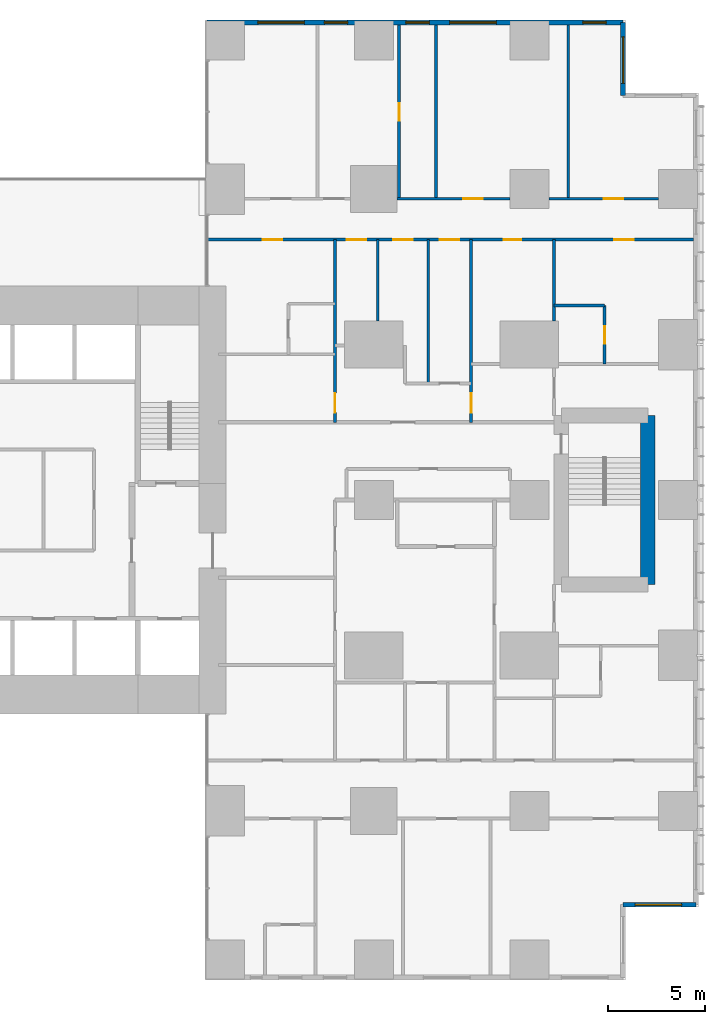
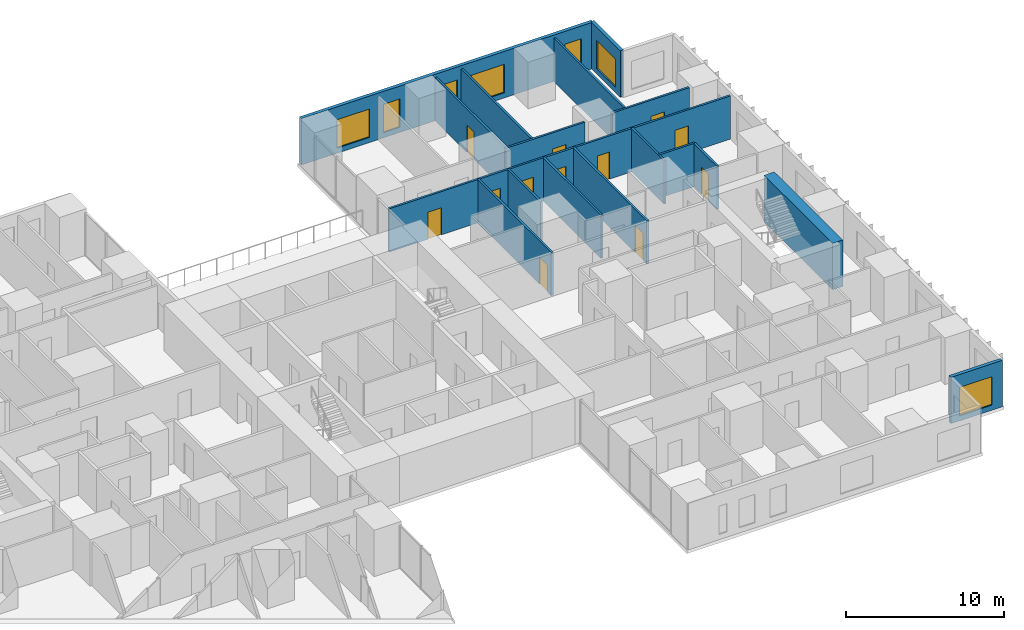
# One storey, part 18 of 20: 17 walls, 12 doors, 7 windows, 19 openings.
"""IFC4 building model written with IfcOpenShell, lengths in metres."""

from ifc_helpers import new_model, si_unit, direction, frame, frame_2d, origin, place, context, subcontext, project, spatial, rectangle, extrude, material, layer, layer_set, type_object, element, fill, save


model = new_model("IFC4")

# Units and contexts
model_context = context("Model", 3, precision=1e-05, world=origin(), true_north=direction((0.0, 1.0)))
body_context = subcontext(model_context, "Body", "Model", "MODEL_VIEW")
ifc_project = project(units=[si_unit("LENGTHUNIT", "METRE"), si_unit("AREAUNIT", "SQUARE_METRE"), si_unit("VOLUMEUNIT", "CUBIC_METRE"), si_unit("PLANEANGLEUNIT", "RADIAN"), si_unit("MASSUNIT", "GRAM", prefix="KILO")], contexts=[model_context])

# Site, building, storey
site_placement = place(None, origin())
site = spatial("IfcSite", under=ifc_project, at=site_placement, CompositionType="ELEMENT")
building_placement = place(site_placement, origin())
building = spatial("IfcBuilding", under=site, at=building_placement, Name="Cleftline Residences", CompositionType="ELEMENT")
storey_placement = place(building_placement, frame((0.0, 0.0, 96.199951171875)))
storey = spatial("IfcBuildingStorey", under=building, at=storey_placement, Name="L24", CompositionType="ELEMENT", Elevation=96.199951171875)

# Wall, opening, window
ifc_material_1 = material(Name="Rendered reinforced concrete blockwork", Category="masonry")
ifc_layer_1 = layer(ifc_material_1, 0.25)
ifc_layer_set_1 = layer_set([ifc_layer_1], Name="EXTERNAL WALL 250")
wall_type_1 = type_object("IfcWallType", Name="EXTERNAL WALL 250", PredefinedType="SOLIDWALL", material=ifc_layer_set_1)
wall_1_placement = place(storey_placement, frame((62.824951171875, 3.175048828125, 0.0), z_axis=(0.0, 0.0, 1.0), x_axis=(1.0, 0.0, 0.0)))
wall_1 = element("IfcWall", 1, at=wall_1_placement, inside=storey, type_object=wall_type_1, Name="External wall", PredefinedType="SOLIDWALL", context=body_context, shape_type="SweptSolid", body=[
    extrude(rectangle(XDim=3.75, YDim=0.25, at=frame_2d((1.875, 0.0))), origin(), (0.0, 0.0, 1.0), 3.60009765625),
])
opening_1_placement = place(wall_1_placement, frame((0.612548828125, 0.0, 0.39990234375)))
opening_1 = element("IfcOpeningElement", 2, at=opening_1_placement, cuts=wall_1, Name="Opening W12", PredefinedType="OPENING", context=body_context, shape_type="SweptSolid", body=[
    extrude(rectangle(XDim=2.39990234375, YDim=2.199951171875, at=frame_2d((1.199951171875, 1.10009765625))), frame((0.0, 0.135009765625, 0.0), z_axis=(0.0, -1.0, 0.0), x_axis=(1.0, 0.0, 0.0)), (0.0, 0.0, 1.0), 0.27001953125),
])
ifc_material_2 = material(Name="Aluminium frame, clear double glazing", Category="aluminium")
window_type_1 = type_object("IfcWindowType", Name="WINDOW 2400X2200", PartitioningType="DOUBLE_PANEL_VERTICAL", PredefinedType="WINDOW", material=ifc_material_2)
window_1_placement = place(opening_1_placement, origin())
window_1 = element("IfcWindow", 3, at=window_1_placement, inside=storey, type_object=window_type_1, Name="Window", OverallHeight=2.199951171875, OverallWidth=2.39990234375, PartitioningType="SINGLE_PANEL", PredefinedType="WINDOW", context=body_context, shape_type="SweptSolid", body=[
    extrude(rectangle(XDim=2.39990234375, YDim=2.199951171875, at=frame_2d((1.199951171875, 1.10009765625))), frame((0.0, 0.030029296875, 0.0), z_axis=(0.0, -1.0, 0.0), x_axis=(1.0, 0.0, 0.0)), (0.0, 0.0, 1.0), 0.06005859375),
])
fill(opening_1, window_1)

wall_2_placement = place(storey_placement, frame((62.824951171875, 44.824951171875, 0.0), z_axis=(0.0, 0.0, 1.0), x_axis=(0.0, 1.0, 0.0)))
wall_2 = element("IfcWall", 4, at=wall_2_placement, inside=storey, type_object=wall_type_1, Name="External wall", PredefinedType="SOLIDWALL", context=body_context, shape_type="SweptSolid", body=[
    extrude(rectangle(XDim=3.75, YDim=0.25, at=frame_2d((1.875, 0.0))), origin(), (0.0, 0.0, 1.0), 3.60009765625),
])
opening_2_placement = place(wall_2_placement, frame((0.612548828125, 0.0, 0.39990234375)))
opening_2 = element("IfcOpeningElement", 5, at=opening_2_placement, cuts=wall_2, Name="Opening W12", PredefinedType="OPENING", context=body_context, shape_type="SweptSolid", body=[
    extrude(rectangle(XDim=2.39990234375, YDim=2.199951171875, at=frame_2d((1.199951171875, 1.10009765625))), frame((0.0, 0.135009765625, 0.0), z_axis=(0.0, -1.0, 0.0), x_axis=(1.0, 0.0, 0.0)), (0.0, 0.0, 1.0), 0.27001953125),
])
window_2_placement = place(opening_2_placement, origin())
window_2 = element("IfcWindow", 6, at=window_2_placement, inside=storey, type_object=window_type_1, Name="Window", OverallHeight=2.199951171875, OverallWidth=2.39990234375, PartitioningType="SINGLE_PANEL", PredefinedType="WINDOW", context=body_context, shape_type="SweptSolid", body=[
    extrude(rectangle(XDim=2.39990234375, YDim=2.199951171875, at=frame_2d((1.199951171875, 1.10009765625))), frame((0.0, 0.030029296875, 0.0), z_axis=(0.0, -1.0, 0.0), x_axis=(1.0, 0.0, 0.0)), (0.0, 0.0, 1.0), 0.06005859375),
])
fill(opening_2, window_2)

# Wall, openings, windows
wall_3_placement = place(storey_placement, frame((62.824951171875, 48.574951171875, 0.0), z_axis=(0.0, 0.0, 1.0), x_axis=(-1.0, 0.0, 0.0)))
wall_3 = element("IfcWall", 7, at=wall_3_placement, inside=storey, type_object=wall_type_1, Name="External wall", PredefinedType="SOLIDWALL", context=body_context, shape_type="SweptSolid", body=[
    extrude(rectangle(XDim=21.39990234375, YDim=0.25, at=frame_2d((10.699951171875, 0.0))), origin(), (0.0, 0.0, 1.0), 3.60009765625),
])
opening_3_placement = place(wall_3_placement, frame((0.875, 0.0, 0.39990234375)))
opening_3 = element("IfcOpeningElement", 8, at=opening_3_placement, cuts=wall_3, Name="Opening W11", PredefinedType="OPENING", context=body_context, shape_type="SweptSolid", body=[
    extrude(rectangle(XDim=1.199951171875, YDim=2.199951171875, at=frame_2d((0.60009765625, 1.10009765625))), frame((0.0, 0.135009765625, 0.0), z_axis=(0.0, -1.0, 0.0), x_axis=(1.0, 0.0, 0.0)), (0.0, 0.0, 1.0), 0.27001953125),
])
opening_4_placement = place(wall_3_placement, frame((6.52490234375, 0.0, 0.39990234375)))
opening_4 = element("IfcOpeningElement", 9, at=opening_4_placement, cuts=wall_3, Name="Opening W12", PredefinedType="OPENING", context=body_context, shape_type="SweptSolid", body=[
    extrude(rectangle(XDim=2.39990234375, YDim=2.199951171875, at=frame_2d((1.199951171875, 1.10009765625))), frame((0.0, 0.135009765625, 0.0), z_axis=(0.0, -1.0, 0.0), x_axis=(1.0, 0.0, 0.0)), (0.0, 0.0, 1.0), 0.27001953125),
])
opening_5_placement = place(wall_3_placement, frame((9.97509765625, 0.0, 0.39990234375)))
opening_5 = element("IfcOpeningElement", 10, at=opening_5_placement, cuts=wall_3, Name="Opening W11", PredefinedType="OPENING", context=body_context, shape_type="SweptSolid", body=[
    extrude(rectangle(XDim=1.199951171875, YDim=2.199951171875, at=frame_2d((0.60009765625, 1.10009765625))), frame((0.0, 0.135009765625, 0.0), z_axis=(0.0, -1.0, 0.0), x_axis=(1.0, 0.0, 0.0)), (0.0, 0.0, 1.0), 0.27001953125),
])
opening_6_placement = place(wall_3_placement, frame((14.175048828125, 0.0, 0.39990234375)))
opening_6 = element("IfcOpeningElement", 11, at=opening_6_placement, cuts=wall_3, Name="Opening W11", PredefinedType="OPENING", context=body_context, shape_type="SweptSolid", body=[
    extrude(rectangle(XDim=1.199951171875, YDim=2.199951171875, at=frame_2d((0.60009765625, 1.10009765625))), frame((0.0, 0.135009765625, 0.0), z_axis=(0.0, -1.0, 0.0), x_axis=(1.0, 0.0, 0.0)), (0.0, 0.0, 1.0), 0.27001953125),
])
opening_7_placement = place(wall_3_placement, frame((16.39990234375, 0.0, 0.39990234375)))
opening_7 = element("IfcOpeningElement", 12, at=opening_7_placement, cuts=wall_3, Name="Opening W12", PredefinedType="OPENING", context=body_context, shape_type="SweptSolid", body=[
    extrude(rectangle(XDim=2.39990234375, YDim=2.199951171875, at=frame_2d((1.199951171875, 1.10009765625))), frame((0.0, 0.135009765625, 0.0), z_axis=(0.0, -1.0, 0.0), x_axis=(1.0, 0.0, 0.0)), (0.0, 0.0, 1.0), 0.27001953125),
])
ifc_material_3 = material(Name="Aluminium frame, clear double glazing", Category="aluminium")
window_type_2 = type_object("IfcWindowType", Name="WINDOW 1200X2200", PartitioningType="DOUBLE_PANEL_VERTICAL", PredefinedType="WINDOW", material=ifc_material_3)
window_3_placement = place(opening_3_placement, origin())
window_3 = element("IfcWindow", 13, at=window_3_placement, inside=storey, type_object=window_type_2, Name="Window", OverallHeight=2.199951171875, OverallWidth=1.199951171875, PartitioningType="SINGLE_PANEL", PredefinedType="WINDOW", context=body_context, shape_type="SweptSolid", body=[
    extrude(rectangle(XDim=1.199951171875, YDim=2.199951171875, at=frame_2d((0.60009765625, 1.10009765625))), frame((0.0, 0.030029296875, 0.0), z_axis=(0.0, -1.0, 0.0), x_axis=(1.0, 0.0, 0.0)), (0.0, 0.0, 1.0), 0.06005859375),
])
fill(opening_3, window_3)
window_4_placement = place(opening_5_placement, origin())
window_4 = element("IfcWindow", 14, at=window_4_placement, inside=storey, type_object=window_type_2, Name="Window", OverallHeight=2.199951171875, OverallWidth=1.199951171875, PartitioningType="SINGLE_PANEL", PredefinedType="WINDOW", context=body_context, shape_type="SweptSolid", body=[
    extrude(rectangle(XDim=1.199951171875, YDim=2.199951171875, at=frame_2d((0.60009765625, 1.10009765625))), frame((0.0, 0.030029296875, 0.0), z_axis=(0.0, -1.0, 0.0), x_axis=(1.0, 0.0, 0.0)), (0.0, 0.0, 1.0), 0.06005859375),
])
fill(opening_5, window_4)
window_5_placement = place(opening_6_placement, origin())
window_5 = element("IfcWindow", 15, at=window_5_placement, inside=storey, type_object=window_type_2, Name="Window", OverallHeight=2.199951171875, OverallWidth=1.199951171875, PartitioningType="SINGLE_PANEL", PredefinedType="WINDOW", context=body_context, shape_type="SweptSolid", body=[
    extrude(rectangle(XDim=1.199951171875, YDim=2.199951171875, at=frame_2d((0.60009765625, 1.10009765625))), frame((0.0, 0.030029296875, 0.0), z_axis=(0.0, -1.0, 0.0), x_axis=(1.0, 0.0, 0.0)), (0.0, 0.0, 1.0), 0.06005859375),
])
fill(opening_6, window_5)
window_6_placement = place(opening_4_placement, origin())
window_6 = element("IfcWindow", 16, at=window_6_placement, inside=storey, type_object=window_type_1, Name="Window", OverallHeight=2.199951171875, OverallWidth=2.39990234375, PartitioningType="SINGLE_PANEL", PredefinedType="WINDOW", context=body_context, shape_type="SweptSolid", body=[
    extrude(rectangle(XDim=2.39990234375, YDim=2.199951171875, at=frame_2d((1.199951171875, 1.10009765625))), frame((0.0, 0.030029296875, 0.0), z_axis=(0.0, -1.0, 0.0), x_axis=(1.0, 0.0, 0.0)), (0.0, 0.0, 1.0), 0.06005859375),
])
fill(opening_4, window_6)
window_7_placement = place(opening_7_placement, origin())
window_7 = element("IfcWindow", 17, at=window_7_placement, inside=storey, type_object=window_type_1, Name="Window", OverallHeight=2.199951171875, OverallWidth=2.39990234375, PartitioningType="SINGLE_PANEL", PredefinedType="WINDOW", context=body_context, shape_type="SweptSolid", body=[
    extrude(rectangle(XDim=2.39990234375, YDim=2.199951171875, at=frame_2d((1.199951171875, 1.10009765625))), frame((0.0, 0.030029296875, 0.0), z_axis=(0.0, -1.0, 0.0), x_axis=(1.0, 0.0, 0.0)), (0.0, 0.0, 1.0), 0.06005859375),
])
fill(opening_7, window_7)

# Wall
ifc_material_4 = material(Name="Gypsum board on steel studs", Category="steel")
ifc_layer_2 = layer(ifc_material_4, 0.14990234375)
ifc_layer_set_2 = layer_set([ifc_layer_2], Name="PARTITION 150")
wall_type_2 = type_object("IfcWallType", Name="PARTITION 150", PredefinedType="PARTITIONING", material=ifc_layer_set_2)
wall_4_placement = place(storey_placement, frame((59.27490234375, 34.0, 0.0), z_axis=(0.0, 0.0, 1.0), x_axis=(1.0, 0.0, 0.0)))
element("IfcWall", 18, at=wall_4_placement, inside=storey, type_object=wall_type_2, Name="Partition", PredefinedType="PARTITIONING", context=body_context, shape_type="SweptSolid", body=[
    extrude(rectangle(XDim=2.60009765625, YDim=0.14990234375, at=frame_2d((1.300048828125, 0.0))), origin(), (0.0, 0.0, 1.0), 3.35009765625),
])

# Wall, openings, doors
wall_5_placement = place(storey_placement, frame((41.43896484375, 37.39990234375, 0.0), z_axis=(0.0, 0.0, 1.0), x_axis=(1.0, 0.0, 0.0)))
wall_5 = element("IfcWall", 19, at=wall_5_placement, inside=storey, type_object=wall_type_2, Name="Partition", PredefinedType="PARTITIONING", context=body_context, shape_type="SweptSolid", body=[
    extrude(rectangle(XDim=25.010986328125, YDim=0.14990234375, at=frame_2d((12.50537109375, 0.0))), origin(), (0.0, 0.0, 1.0), 3.35009765625),
])
opening_8_placement = place(wall_5_placement, frame((11.9609375, 0.0, 0.0)))
opening_8 = element("IfcOpeningElement", 20, at=opening_8_placement, cuts=wall_5, Name="Opening D2F30", PredefinedType="OPENING", context=body_context, shape_type="SweptSolid", body=[
    extrude(rectangle(XDim=1.0, YDim=2.10009765625, at=frame_2d((0.5, 1.050048828125))), frame((0.0, 0.0849609375, 0.0), z_axis=(0.0, -1.0, 0.0), x_axis=(1.0, 0.0, 0.0)), (0.0, 0.0, 1.0), 0.169921875),
])
opening_9_placement = place(wall_5_placement, frame((20.923583984375, 0.0, 0.0)))
opening_9 = element("IfcOpeningElement", 21, at=opening_9_placement, cuts=wall_5, Name="Opening D2F30", PredefinedType="OPENING", context=body_context, shape_type="SweptSolid", body=[
    extrude(rectangle(XDim=1.0, YDim=2.10009765625, at=frame_2d((0.5, 1.050048828125))), frame((0.0, 0.0849609375, 0.0), z_axis=(0.0, -1.0, 0.0), x_axis=(1.0, 0.0, 0.0)), (0.0, 0.0, 1.0), 0.169921875),
])
opening_10_placement = place(wall_5_placement, frame((15.24853515625, 0.0, 0.0)))
opening_10 = element("IfcOpeningElement", 22, at=opening_10_placement, cuts=wall_5, Name="Opening D1F30", PredefinedType="OPENING", context=body_context, shape_type="SweptSolid", body=[
    extrude(rectangle(XDim=0.89990234375, YDim=2.10009765625, at=frame_2d((0.449951171875, 1.050048828125))), frame((0.0, 0.0849609375, 0.0), z_axis=(0.0, -1.0, 0.0), x_axis=(1.0, 0.0, 0.0)), (0.0, 0.0, 1.0), 0.169921875),
])
opening_11_placement = place(wall_5_placement, frame((9.56103515625, 0.0, 0.0)))
opening_11 = element("IfcOpeningElement", 23, at=opening_11_placement, cuts=wall_5, Name="Opening D2F30", PredefinedType="OPENING", context=body_context, shape_type="SweptSolid", body=[
    extrude(rectangle(XDim=1.0, YDim=2.10009765625, at=frame_2d((0.5, 1.050048828125))), frame((0.0, 0.0849609375, 0.0), z_axis=(0.0, -1.0, 0.0), x_axis=(1.0, 0.0, 0.0)), (0.0, 0.0, 1.0), 0.169921875),
])
opening_12_placement = place(wall_5_placement, frame((7.160888671875, 0.0, 0.0)))
opening_12 = element("IfcOpeningElement", 24, at=opening_12_placement, cuts=wall_5, Name="Opening D2F30", PredefinedType="OPENING", context=body_context, shape_type="SweptSolid", body=[
    extrude(rectangle(XDim=1.0, YDim=2.10009765625, at=frame_2d((0.5, 1.050048828125))), frame((0.0, 0.0849609375, 0.0), z_axis=(0.0, -1.0, 0.0), x_axis=(1.0, 0.0, 0.0)), (0.0, 0.0, 1.0), 0.169921875),
])
opening_13_placement = place(wall_5_placement, frame((2.8359375, 0.0, 0.0)))
opening_13 = element("IfcOpeningElement", 25, at=opening_13_placement, cuts=wall_5, Name="Opening D2F30", PredefinedType="OPENING", context=body_context, shape_type="SweptSolid", body=[
    extrude(rectangle(XDim=1.0, YDim=2.10009765625, at=frame_2d((0.5, 1.050048828125))), frame((0.0, 0.0849609375, 0.0), z_axis=(0.0, -1.0, 0.0), x_axis=(1.0, 0.0, 0.0)), (0.0, 0.0, 1.0), 0.169921875),
])
ifc_material_5 = material(Name="Timber veneer on solid core", Category="wood")
door_type_1 = type_object("IfcDoorType", Name="DOOR 1000X2100 EI 30", OperationType="SINGLE_SWING_LEFT", PredefinedType="DOOR", material=ifc_material_5)
door_1_placement = place(opening_8_placement, origin())
door_1 = element("IfcDoor", 26, at=door_1_placement, inside=storey, type_object=door_type_1, Name="Door to residence hall (gallery)", OperationType="SINGLE_SWING_RIGHT", OverallHeight=2.10009765625, OverallWidth=1.0, PredefinedType="DOOR", context=body_context, shape_type="SweptSolid", body=[
    extrude(rectangle(XDim=1.0, YDim=2.10009765625, at=frame_2d((0.5, 1.050048828125))), frame((0.0, 0.02490234375, 0.0), z_axis=(0.0, -1.0, 0.0), x_axis=(1.0, 0.0, 0.0)), (0.0, 0.0, 1.0), 0.050048828125),
])
fill(opening_8, door_1)
door_2_placement = place(opening_9_placement, origin())
door_2 = element("IfcDoor", 27, at=door_2_placement, inside=storey, type_object=door_type_1, Name="Door to master bedroom", OperationType="SINGLE_SWING_LEFT", OverallHeight=2.10009765625, OverallWidth=1.0, PredefinedType="DOOR", context=body_context, shape_type="SweptSolid", body=[
    extrude(rectangle(XDim=1.0, YDim=2.10009765625, at=frame_2d((0.5, 1.050048828125))), frame((0.0, 0.02490234375, 0.0), z_axis=(0.0, -1.0, 0.0), x_axis=(1.0, 0.0, 0.0)), (0.0, 0.0, 1.0), 0.050048828125),
])
fill(opening_9, door_2)
door_3_placement = place(opening_11_placement, origin())
door_3 = element("IfcDoor", 28, at=door_3_placement, inside=storey, type_object=door_type_1, Name="Door to dining room", OperationType="SINGLE_SWING_RIGHT", OverallHeight=2.10009765625, OverallWidth=1.0, PredefinedType="DOOR", context=body_context, shape_type="SweptSolid", body=[
    extrude(rectangle(XDim=1.0, YDim=2.10009765625, at=frame_2d((0.5, 1.050048828125))), frame((0.0, 0.02490234375, 0.0), z_axis=(0.0, -1.0, 0.0), x_axis=(1.0, 0.0, 0.0)), (0.0, 0.0, 1.0), 0.050048828125),
])
fill(opening_11, door_3)
door_4_placement = place(opening_12_placement, origin())
door_4 = element("IfcDoor", 29, at=door_4_placement, inside=storey, type_object=door_type_1, Name="Door to show kitchen", OperationType="SINGLE_SWING_RIGHT", OverallHeight=2.10009765625, OverallWidth=1.0, PredefinedType="DOOR", context=body_context, shape_type="SweptSolid", body=[
    extrude(rectangle(XDim=1.0, YDim=2.10009765625, at=frame_2d((0.5, 1.050048828125))), frame((0.0, 0.02490234375, 0.0), z_axis=(0.0, -1.0, 0.0), x_axis=(1.0, 0.0, 0.0)), (0.0, 0.0, 1.0), 0.050048828125),
])
fill(opening_12, door_4)
door_5_placement = place(opening_13_placement, origin())
door_5 = element("IfcDoor", 30, at=door_5_placement, inside=storey, type_object=door_type_1, Name="Door to bedroom 3", OperationType="SINGLE_SWING_RIGHT", OverallHeight=2.10009765625, OverallWidth=1.0, PredefinedType="DOOR", context=body_context, shape_type="SweptSolid", body=[
    extrude(rectangle(XDim=1.0, YDim=2.10009765625, at=frame_2d((0.5, 1.050048828125))), frame((0.0, 0.02490234375, 0.0), z_axis=(0.0, -1.0, 0.0), x_axis=(1.0, 0.0, 0.0)), (0.0, 0.0, 1.0), 0.050048828125),
])
fill(opening_13, door_5)
ifc_material_6 = material(Name="Timber veneer on solid core", Category="wood")
door_type_2 = type_object("IfcDoorType", Name="DOOR 900X2100 EI 30", OperationType="SINGLE_SWING_LEFT", PredefinedType="DOOR", material=ifc_material_6)
door_6_placement = place(opening_10_placement, origin())
door_6 = element("IfcDoor", 31, at=door_6_placement, inside=storey, type_object=door_type_2, Name="Door to guest bathroom", OperationType="SINGLE_SWING_LEFT", OverallHeight=2.10009765625, OverallWidth=0.89990234375, PredefinedType="DOOR", context=body_context, shape_type="SweptSolid", body=[
    extrude(rectangle(XDim=0.89990234375, YDim=2.10009765625, at=frame_2d((0.449951171875, 1.050048828125))), frame((0.0, 0.02490234375, 0.0), z_axis=(0.0, -1.0, 0.0), x_axis=(1.0, 0.0, 0.0)), (0.0, 0.0, 1.0), 0.050048828125),
])
fill(opening_10, door_6)

# Wall, opening, door
wall_6_placement = place(storey_placement, frame((51.199951171875, 39.5, 0.0), z_axis=(0.0, 0.0, 1.0), x_axis=(1.0, 0.0, 0.0)))
wall_6 = element("IfcWall", 32, at=wall_6_placement, inside=storey, type_object=wall_type_2, Name="Partition", PredefinedType="PARTITIONING", context=body_context, shape_type="SweptSolid", body=[
    extrude(rectangle(XDim=5.800048828125, YDim=0.14990234375, at=frame_2d((2.89990234375, 0.0))), origin(), (0.0, 0.0, 1.0), 3.35009765625),
])
opening_14_placement = place(wall_6_placement, frame((3.39990234375, 0.0, 0.0)))
opening_14 = element("IfcOpeningElement", 33, at=opening_14_placement, cuts=wall_6, Name="Opening D2", PredefinedType="OPENING", context=body_context, shape_type="SweptSolid", body=[
    extrude(rectangle(XDim=1.0, YDim=2.10009765625, at=frame_2d((0.5, 1.050048828125))), frame((0.0, 0.0849609375, 0.0), z_axis=(0.0, -1.0, 0.0), x_axis=(1.0, 0.0, 0.0)), (0.0, 0.0, 1.0), 0.169921875),
])
ifc_material_7 = material(Name="Timber veneer on solid core", Category="wood")
door_type_3 = type_object("IfcDoorType", Name="DOOR 1000X2100", OperationType="SINGLE_SWING_LEFT", PredefinedType="DOOR", material=ifc_material_7)
door_7_placement = place(opening_14_placement, origin())
door_7 = element("IfcDoor", 34, at=door_7_placement, inside=storey, type_object=door_type_3, Name="Door to living room", OperationType="SINGLE_SWING_LEFT", OverallHeight=2.10009765625, OverallWidth=1.0, PredefinedType="DOOR", context=body_context, shape_type="SweptSolid", body=[
    extrude(rectangle(XDim=1.0, YDim=2.10009765625, at=frame_2d((0.5, 1.050048828125))), frame((0.0, 0.02490234375, 0.0), z_axis=(0.0, -1.0, 0.0), x_axis=(1.0, 0.0, 0.0)), (0.0, 0.0, 1.0), 0.050048828125),
])
fill(opening_14, door_7)

wall_7_placement = place(storey_placement, frame((59.0, 39.5, 0.0), z_axis=(0.0, 0.0, 1.0), x_axis=(1.0, 0.0, 0.0)))
wall_7 = element("IfcWall", 35, at=wall_7_placement, inside=storey, type_object=wall_type_2, Name="Partition", PredefinedType="PARTITIONING", context=body_context, shape_type="SweptSolid", body=[
    extrude(rectangle(XDim=5.64990234375, YDim=0.14990234375, at=frame_2d((2.824951171875, 0.0))), origin(), (0.0, 0.0, 1.0), 3.35009765625),
])
opening_15_placement = place(wall_7_placement, frame((2.824951171875, 0.0, 0.0)))
opening_15 = element("IfcOpeningElement", 36, at=opening_15_placement, cuts=wall_7, Name="Opening D2", PredefinedType="OPENING", context=body_context, shape_type="SweptSolid", body=[
    extrude(rectangle(XDim=1.0, YDim=2.10009765625, at=frame_2d((0.5, 1.050048828125))), frame((0.0, 0.0849609375, 0.0), z_axis=(0.0, -1.0, 0.0), x_axis=(1.0, 0.0, 0.0)), (0.0, 0.0, 1.0), 0.169921875),
])
door_8_placement = place(opening_15_placement, origin())
door_8 = element("IfcDoor", 37, at=door_8_placement, inside=storey, type_object=door_type_3, Name="Door to winter garden", OperationType="SINGLE_SWING_LEFT", OverallHeight=2.10009765625, OverallWidth=1.0, PredefinedType="DOOR", context=body_context, shape_type="SweptSolid", body=[
    extrude(rectangle(XDim=1.0, YDim=2.10009765625, at=frame_2d((0.5, 1.050048828125))), frame((0.0, 0.02490234375, 0.0), z_axis=(0.0, -1.0, 0.0), x_axis=(1.0, 0.0, 0.0)), (0.0, 0.0, 1.0), 0.050048828125),
])
fill(opening_15, door_8)

wall_8_placement = place(storey_placement, frame((48.0, 28.0, 0.0), z_axis=(0.0, 0.0, 1.0), x_axis=(0.0, 1.0, 0.0)))
wall_8 = element("IfcWall", 38, at=wall_8_placement, inside=storey, type_object=wall_type_2, Name="Partition", PredefinedType="PARTITIONING", context=body_context, shape_type="SweptSolid", body=[
    extrude(rectangle(XDim=9.39990234375, YDim=0.14990234375, at=frame_2d((4.699951171875, 0.0))), origin(), (0.0, 0.0, 1.0), 3.35009765625),
])
opening_16_placement = place(wall_8_placement, frame((0.5, 0.0, 0.0)))
opening_16 = element("IfcOpeningElement", 39, at=opening_16_placement, cuts=wall_8, Name="Opening D2", PredefinedType="OPENING", context=body_context, shape_type="SweptSolid", body=[
    extrude(rectangle(XDim=1.0, YDim=2.10009765625, at=frame_2d((0.5, 1.050048828125))), frame((0.0, 0.0849609375, 0.0), z_axis=(0.0, -1.0, 0.0), x_axis=(1.0, 0.0, 0.0)), (0.0, 0.0, 1.0), 0.169921875),
])
door_9_placement = place(opening_16_placement, origin())
door_9 = element("IfcDoor", 40, at=door_9_placement, inside=storey, type_object=door_type_3, Name="Door to wet kitchen", OperationType="SINGLE_SWING_RIGHT", OverallHeight=2.10009765625, OverallWidth=1.0, PredefinedType="DOOR", context=body_context, shape_type="SweptSolid", body=[
    extrude(rectangle(XDim=1.0, YDim=2.10009765625, at=frame_2d((0.5, 1.050048828125))), frame((0.0, 0.02490234375, 0.0), z_axis=(0.0, -1.0, 0.0), x_axis=(1.0, 0.0, 0.0)), (0.0, 0.0, 1.0), 0.050048828125),
])
fill(opening_16, door_9)

# Wall
wall_9_placement = place(storey_placement, frame((50.199951171875, 33.199951171875, 0.0), z_axis=(0.0, 0.0, 1.0), x_axis=(0.0, 1.0, 0.0)))
element("IfcWall", 41, at=wall_9_placement, inside=storey, type_object=wall_type_2, Name="Partition", PredefinedType="PARTITIONING", context=body_context, shape_type="SweptSolid", body=[
    extrude(rectangle(XDim=4.199951171875, YDim=0.14990234375, at=frame_2d((2.10009765625, 0.0))), origin(), (0.0, 0.0, 1.0), 3.35009765625),
])

# Wall, opening, door
wall_10_placement = place(storey_placement, frame((51.300048828125, 39.5, 0.0), z_axis=(0.0, 0.0, 1.0), x_axis=(0.0, 1.0, 0.0)))
wall_10 = element("IfcWall", 42, at=wall_10_placement, inside=storey, type_object=wall_type_2, Name="Partition", PredefinedType="PARTITIONING", context=body_context, shape_type="SweptSolid", body=[
    extrude(rectangle(XDim=8.949951171875, YDim=0.14990234375, at=frame_2d((4.47509765625, 0.0))), origin(), (0.0, 0.0, 1.0), 3.35009765625),
])
opening_17_placement = place(wall_10_placement, frame((4.02490234375, 0.0, 0.0)))
opening_17 = element("IfcOpeningElement", 43, at=opening_17_placement, cuts=wall_10, Name="Opening D1", PredefinedType="OPENING", context=body_context, shape_type="SweptSolid", body=[
    extrude(rectangle(XDim=0.89990234375, YDim=2.10009765625, at=frame_2d((0.449951171875, 1.050048828125))), frame((0.0, 0.0849609375, 0.0), z_axis=(0.0, -1.0, 0.0), x_axis=(1.0, 0.0, 0.0)), (0.0, 0.0, 1.0), 0.169921875),
])
ifc_material_8 = material(Name="Timber veneer on solid core", Category="wood")
door_type_4 = type_object("IfcDoorType", Name="DOOR 900X2100", OperationType="SINGLE_SWING_LEFT", PredefinedType="DOOR", material=ifc_material_8)
door_10_placement = place(opening_17_placement, origin())
door_10 = element("IfcDoor", 44, at=door_10_placement, inside=storey, type_object=door_type_4, Name="Door to en-suite bathroom 2", OperationType="SINGLE_SWING_LEFT", OverallHeight=2.10009765625, OverallWidth=0.89990234375, PredefinedType="DOOR", context=body_context, shape_type="SweptSolid", body=[
    extrude(rectangle(XDim=0.89990234375, YDim=2.10009765625, at=frame_2d((0.449951171875, 1.050048828125))), frame((0.0, 0.02490234375, 0.0), z_axis=(0.0, -1.0, 0.0), x_axis=(1.0, 0.0, 0.0)), (0.0, 0.0, 1.0), 0.050048828125),
])
fill(opening_17, door_10)

# Walls
wall_11_placement = place(storey_placement, frame((52.800048828125, 30.0, 0.0), z_axis=(0.0, 0.0, 1.0), x_axis=(0.0, 1.0, 0.0)))
element("IfcWall", 45, at=wall_11_placement, inside=storey, type_object=wall_type_2, Name="Partition", PredefinedType="PARTITIONING", context=body_context, shape_type="SweptSolid", body=[
    extrude(rectangle(XDim=7.39990234375, YDim=0.14990234375, at=frame_2d((3.699951171875, 0.0))), origin(), (0.0, 0.0, 1.0), 3.35009765625),
])
wall_12_placement = place(storey_placement, frame((53.199951171875, 39.5, 0.0), z_axis=(0.0, 0.0, 1.0), x_axis=(0.0, 1.0, 0.0)))
element("IfcWall", 46, at=wall_12_placement, inside=storey, type_object=wall_type_2, Name="Partition", PredefinedType="PARTITIONING", context=body_context, shape_type="SweptSolid", body=[
    extrude(rectangle(XDim=8.949951171875, YDim=0.14990234375, at=frame_2d((4.47509765625, 0.0))), origin(), (0.0, 0.0, 1.0), 3.35009765625),
])

# Wall, opening, door
wall_13_placement = place(storey_placement, frame((55.0, 28.0, 0.0), z_axis=(0.0, 0.0, 1.0), x_axis=(0.0, 1.0, 0.0)))
wall_13 = element("IfcWall", 47, at=wall_13_placement, inside=storey, type_object=wall_type_2, Name="Partition", PredefinedType="PARTITIONING", context=body_context, shape_type="SweptSolid", body=[
    extrude(rectangle(XDim=9.39990234375, YDim=0.14990234375, at=frame_2d((4.699951171875, 0.0))), origin(), (0.0, 0.0, 1.0), 3.35009765625),
])
opening_18_placement = place(wall_13_placement, frame((0.5, 0.0, 0.0)))
opening_18 = element("IfcOpeningElement", 48, at=opening_18_placement, cuts=wall_13, Name="Opening D2F30", PredefinedType="OPENING", context=body_context, shape_type="SweptSolid", body=[
    extrude(rectangle(XDim=1.0, YDim=2.10009765625, at=frame_2d((0.5, 1.050048828125))), frame((0.0, 0.0849609375, 0.0), z_axis=(0.0, -1.0, 0.0), x_axis=(1.0, 0.0, 0.0)), (0.0, 0.0, 1.0), 0.169921875),
])
door_11_placement = place(opening_18_placement, origin())
door_11 = element("IfcDoor", 49, at=door_11_placement, inside=storey, type_object=door_type_1, Name="Door to residence lobby", OperationType="SINGLE_SWING_RIGHT", OverallHeight=2.10009765625, OverallWidth=1.0, PredefinedType="DOOR", context=body_context, shape_type="SweptSolid", body=[
    extrude(rectangle(XDim=1.0, YDim=2.10009765625, at=frame_2d((0.5, 1.050048828125))), frame((0.0, 0.02490234375, 0.0), z_axis=(0.0, -1.0, 0.0), x_axis=(1.0, 0.0, 0.0)), (0.0, 0.0, 1.0), 0.050048828125),
])
fill(opening_18, door_11)

# Walls
wall_14_placement = place(storey_placement, frame((59.27490234375, 33.199951171875, 0.0), z_axis=(0.0, 0.0, 1.0), x_axis=(0.0, 1.0, 0.0)))
element("IfcWall", 50, at=wall_14_placement, inside=storey, type_object=wall_type_2, Name="Partition", PredefinedType="PARTITIONING", context=body_context, shape_type="SweptSolid", body=[
    extrude(rectangle(XDim=4.199951171875, YDim=0.14990234375, at=frame_2d((2.10009765625, 0.0))), origin(), (0.0, 0.0, 1.0), 3.35009765625),
])
wall_15_placement = place(storey_placement, frame((60.0, 39.5, 0.0), z_axis=(0.0, 0.0, 1.0), x_axis=(0.0, 1.0, 0.0)))
element("IfcWall", 51, at=wall_15_placement, inside=storey, type_object=wall_type_2, Name="Partition", PredefinedType="PARTITIONING", context=body_context, shape_type="SweptSolid", body=[
    extrude(rectangle(XDim=8.949951171875, YDim=0.14990234375, at=frame_2d((4.47509765625, 0.0))), origin(), (0.0, 0.0, 1.0), 3.35009765625),
])

# Wall, opening, door
wall_16_placement = place(storey_placement, frame((61.875, 31.0, 0.0), z_axis=(0.0, 0.0, 1.0), x_axis=(0.0, 1.0, 0.0)))
wall_16 = element("IfcWall", 52, at=wall_16_placement, inside=storey, type_object=wall_type_2, Name="Partition", PredefinedType="PARTITIONING", context=body_context, shape_type="SweptSolid", body=[
    extrude(rectangle(XDim=3.0, YDim=0.14990234375, at=frame_2d((1.5, 0.0))), origin(), (0.0, 0.0, 1.0), 3.35009765625),
])
opening_19_placement = place(wall_16_placement, frame((1.050048828125, 0.0, 0.0)))
opening_19 = element("IfcOpeningElement", 53, at=opening_19_placement, cuts=wall_16, Name="Opening D1", PredefinedType="OPENING", context=body_context, shape_type="SweptSolid", body=[
    extrude(rectangle(XDim=0.89990234375, YDim=2.10009765625, at=frame_2d((0.449951171875, 1.050048828125))), frame((0.0, 0.0849609375, 0.0), z_axis=(0.0, -1.0, 0.0), x_axis=(1.0, 0.0, 0.0)), (0.0, 0.0, 1.0), 0.169921875),
])
door_12_placement = place(opening_19_placement, origin())
door_12 = element("IfcDoor", 54, at=door_12_placement, inside=storey, type_object=door_type_4, Name="Door to master bathroom", OperationType="SINGLE_SWING_LEFT", OverallHeight=2.10009765625, OverallWidth=0.89990234375, PredefinedType="DOOR", context=body_context, shape_type="SweptSolid", body=[
    extrude(rectangle(XDim=0.89990234375, YDim=2.10009765625, at=frame_2d((0.449951171875, 1.050048828125))), frame((0.0, 0.02490234375, 0.0), z_axis=(0.0, -1.0, 0.0), x_axis=(1.0, 0.0, 0.0)), (0.0, 0.0, 1.0), 0.050048828125),
])
fill(opening_19, door_12)

# Wall
ifc_material_9 = material(Name="Concrete B70", Category="concrete")
ifc_layer_3 = layer(ifc_material_9, 0.75)
ifc_layer_set_3 = layer_set([ifc_layer_3], Name="SHEAR WALL 750")
wall_type_3 = type_object("IfcWallType", Name="SHEAR WALL 750", PredefinedType="SHEAR", material=ifc_layer_set_3)
wall_17_placement = place(storey_placement, frame((64.10009765625, 19.64990234375, 0.0), z_axis=(0.0, 0.0, 1.0), x_axis=(0.0, 1.0, 0.0)))
element("IfcWall", 55, at=wall_17_placement, inside=storey, type_object=wall_type_3, Name="Wing shear wall", PredefinedType="SHEAR", context=body_context, shape_type="SweptSolid", body=[
    extrude(rectangle(XDim=8.7001953125, YDim=0.75, at=frame_2d((4.35009765625, 0.0))), origin(), (0.0, 0.0, 1.0), 3.60009765625),
])

save(model, "model.ifc")
